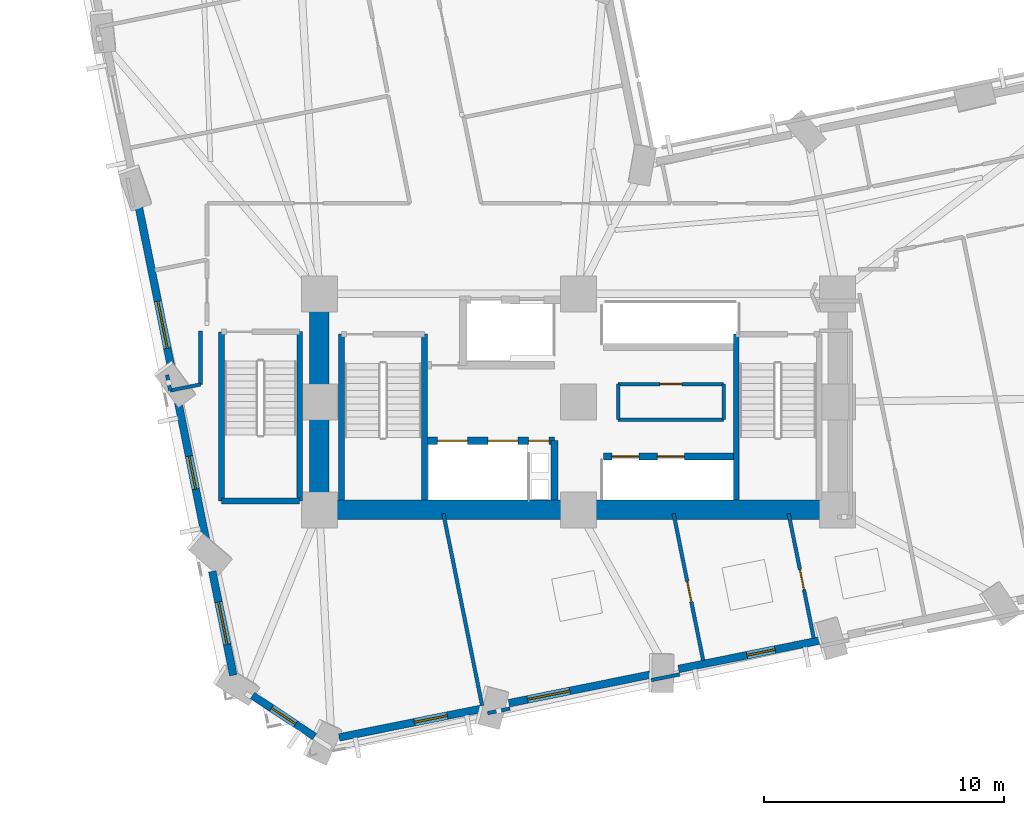
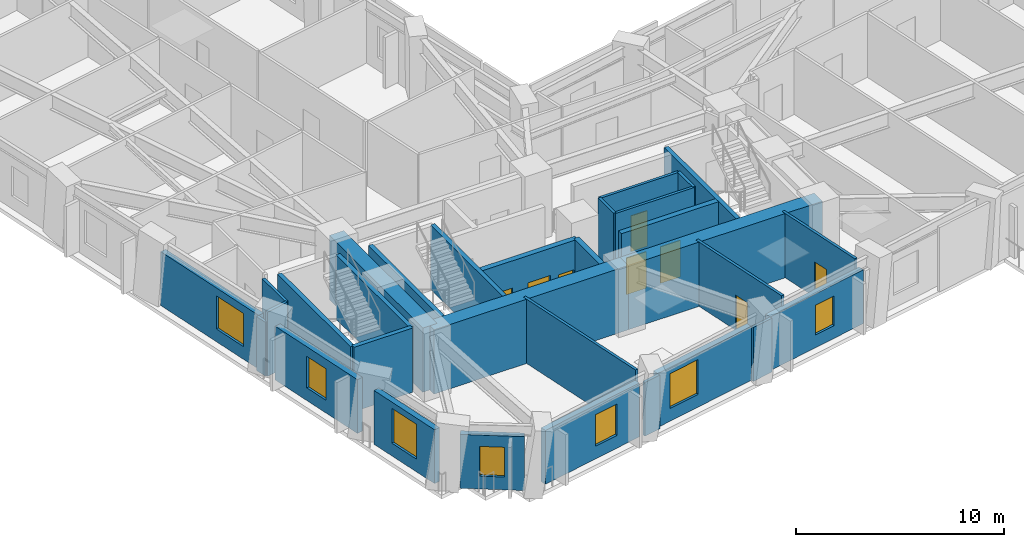
# One storey, part 7 of 16: 31 walls, 8 doors, 7 windows, 15 openings.
"""IFC4 building model written with IfcOpenShell, lengths in metres."""

import ifcopenshell
import ifcopenshell.guid

model = None  # the IFC model being written
_history = None  # IfcOwnerHistory: only IFC2X3 demands one
_inside = {}  # id of a spatial element -> (the spatial element, [elements in it])
_under = {}  # id of a project, library or spatial element -> (it, [spatial elements below it])
_declared = {}  # id of a project -> (the project, [libraries it declares])
_typed = {}  # id of a type object -> (the type object, [elements of that type])
_made_of = {}  # id of a material, layer set ... -> (it, [elements and type objects made of it])


def new_model(schema):
    """Start an empty IFC model of exactly this schema.

    Asked for "IFC4X3", IfcOpenShell would pick the latest addendum, in which some entities
    have other attributes; the version numbers below select the first issue.
    IFC2X3 requires an IfcOwnerHistory on every rooted entity: one is made here for all.
    """
    global model, _history
    if schema == "IFC4X3":
        model = ifcopenshell.file(schema_version=(4, 3, 0, 0))
    else:
        model = ifcopenshell.file(schema=schema)
    _inside.clear()
    _under.clear()
    _declared.clear()
    _typed.clear()
    _made_of.clear()
    _history = None
    if model.schema == "IFC2X3":
        org = make("IfcOrganization", Name="unknown")
        user = make(
            "IfcPersonAndOrganization",
            ThePerson=make("IfcPerson", FamilyName="unknown"),
            TheOrganization=org,
        )
        app = make(
            "IfcApplication",
            ApplicationDeveloper=org,
            Version="unknown",
            ApplicationFullName="unknown",
            ApplicationIdentifier="unknown",
        )
        _history = make(
            "IfcOwnerHistory",
            OwningUser=user,
            OwningApplication=app,
            ChangeAction="ADDED",
            CreationDate=0,
        )
    return model


def make(cls, **values):
    """One entity of the class cls with the attributes given. An attribute that is None is left unset."""
    return model.create_entity(
        cls, **{name: value for name, value in values.items() if value is not None}
    )


def rooted(cls, **values):
    """An entity with a GlobalId (a new one), such as an element, a storey or a relation."""
    return make(cls, GlobalId=ifcopenshell.guid.new(), OwnerHistory=_history, **values)


def si_unit(unit_type, name, prefix=None):
    """IfcSIUnit, for example si_unit("LENGTHUNIT", "METRE", prefix="MILLI")."""
    return make("IfcSIUnit", UnitType=unit_type, Prefix=prefix, Name=name)


def assignment(units):
    """IfcUnitAssignment: the units of a project."""
    return None if units is None else make("IfcUnitAssignment", Units=units)


def point(xyz):
    """IfcCartesianPoint."""
    return None if xyz is None else make("IfcCartesianPoint", Coordinates=xyz)


def direction(xyz):
    """IfcDirection."""
    return None if xyz is None else make("IfcDirection", DirectionRatios=xyz)


def frame(location, z_axis=None, x_axis=None):
    """IfcAxis2Placement3D, a coordinate frame: its origin and axes. An axis left out is left unset."""
    return make(
        "IfcAxis2Placement3D",
        Location=point(location),
        Axis=direction(z_axis),
        RefDirection=direction(x_axis),
    )


def frame_2d(location, x_axis=None):
    """IfcAxis2Placement2D, a coordinate frame in the plane: its origin and x axis."""
    return make(
        "IfcAxis2Placement2D", Location=point(location), RefDirection=direction(x_axis)
    )


def origin():
    """The frame at (0, 0, 0) with its axes left unset."""
    return frame((0.0, 0.0, 0.0))


def place(relative_to, where):
    """IfcLocalPlacement: puts the frame where relative to a parent placement (None: the world)."""
    return make(
        "IfcLocalPlacement", PlacementRelTo=relative_to, RelativePlacement=where
    )


def context(
    kind, dimensions, precision=None, world=None, true_north=None, identifier=None
):
    """IfcGeometricRepresentationContext, for example the 3D "Model" context."""
    return make(
        "IfcGeometricRepresentationContext",
        ContextIdentifier=identifier,
        ContextType=kind,
        CoordinateSpaceDimension=dimensions,
        Precision=precision,
        WorldCoordinateSystem=world,
        TrueNorth=true_north,
    )


def subcontext(parent, identifier, kind, view, scale=None):
    """IfcGeometricRepresentationSubContext, for example "Body" below "Model"."""
    return make(
        "IfcGeometricRepresentationSubContext",
        ContextIdentifier=identifier,
        ContextType=kind,
        ParentContext=parent,
        TargetScale=scale,
        TargetView=view,
    )


def project(units=None, contexts=None):
    """IfcProject with its units and contexts."""
    return rooted(
        "IfcProject",
        Name="project",
        RepresentationContexts=contexts,
        UnitsInContext=assignment(units),
    )


def spatial(cls, under=None, at=None, **own):
    """A site, building, storey or space (cls), placed at a placement, below another one or the project."""
    s = rooted(cls, ObjectPlacement=at, **own)
    if under is not None:
        _under.setdefault(under.id(), (under, []))[1].append(s)
    return s


def profile(cls, at=None, kind="AREA", **sizes):
    """A parametric profile (cls). Its sizes go by their IFC names, for example OverallWidth=200.0."""
    return make(cls, ProfileType=kind, Position=at, **sizes)


def rectangle(**sizes):
    """IfcRectangleProfileDef."""
    return profile("IfcRectangleProfileDef", **sizes)


def extrude(swept, where, along, depth):
    """IfcExtrudedAreaSolid: the profile swept, set in the frame where, extruded along a direction by depth."""
    return make(
        "IfcExtrudedAreaSolid",
        SweptArea=swept,
        Position=where,
        ExtrudedDirection=direction(along),
        Depth=depth,
    )


def shape(context_of_items, identifier, shape_type, items):
    """IfcShapeRepresentation: the items that make up one representation, for example the "Body"."""
    return make(
        "IfcShapeRepresentation",
        ContextOfItems=context_of_items,
        RepresentationIdentifier=identifier,
        RepresentationType=shape_type,
        Items=items,
    )


def material(Name=None, Category=None):
    """IfcMaterial."""
    return make("IfcMaterial", Name=Name, Category=Category)


def layer(
    of_material, thickness, ventilated=None, Name=None, Category=None, Priority=None
):
    """IfcMaterialLayer: one layer of a wall or slab, of a material (None: an air gap)."""
    return make(
        "IfcMaterialLayer",
        Material=of_material,
        LayerThickness=thickness,
        IsVentilated=ventilated,
        Name=Name,
        Category=Category,
        Priority=Priority,
    )


def layer_set(layers, Name=None):
    """IfcMaterialLayerSet."""
    return make("IfcMaterialLayerSet", MaterialLayers=layers, LayerSetName=Name)


def made_of(thing, what):
    """Note that an element or type object is made of a material, layer set ...; save() writes the relation."""
    if what is not None:
        _made_of.setdefault(what.id(), (what, []))[1].append(thing)
    return thing


def type_object(cls, material=None, **own):
    """A type object (cls), such as IfcWallType, which elements share."""
    return made_of(rooted(cls, **own), material)


def element(
    cls,
    number,
    at=None,
    inside=None,
    cuts=None,
    type_object=None,
    material=None,
    context=None,
    identifier="Body",
    shape_type=None,
    held_by="IfcProductDefinitionShape",
    body=None,
    shapes=None,
    **own,
):
    """One element of the class cls, such as IfcWall. Its Tag is "e" and its number.

    at: its placement. inside: the storey or other place that contains it. cuts: it is an
    opening in that element (IfcRelVoidsElement). A single representation is given by context,
    identifier, shape_type and body (its items); several are given by shapes. held_by: the class
    of the entity that holds the representations. save() writes the other relations.
    """
    e = rooted(cls, Tag="e%d" % number, ObjectPlacement=at, **own)
    if body is not None:
        shapes = [shape(context, identifier, shape_type, body)]
    if shapes is not None:
        e.Representation = make(held_by, Representations=shapes)
    if inside is not None:
        _inside.setdefault(inside.id(), (inside, []))[1].append(e)
    if cuts is not None:
        rooted(
            "IfcRelVoidsElement", RelatingBuildingElement=cuts, RelatedOpeningElement=e
        )
    if type_object is not None:
        _typed.setdefault(type_object.id(), (type_object, []))[1].append(e)
    return made_of(e, material)


def fill(opening, filler):
    """IfcRelFillsElement: the door or window that sits in an opening."""
    return rooted(
        "IfcRelFillsElement",
        RelatingOpeningElement=opening,
        RelatedBuildingElement=filler,
    )


def aggregate(whole, parts):
    """IfcRelAggregates: a whole, such as a stair, and the parts it consists of."""
    return rooted("IfcRelAggregates", RelatingObject=whole, RelatedObjects=parts)


def save(model, path):
    """Write the relations noted so far, then the file.

    IfcRelAggregates (storeys below a building ...), IfcRelContainedInSpatialStructure (elements
    in a storey), IfcRelDefinesByType, IfcRelAssociatesMaterial and IfcRelDeclares: one each for
    every whole, place, type object, material and project.
    """
    for whole, parts in _under.values():
        aggregate(whole, parts)
    for where, things in _inside.values():
        rooted(
            "IfcRelContainedInSpatialStructure",
            RelatedElements=things,
            RelatingStructure=where,
        )
    for kind, things in _typed.values():
        rooted("IfcRelDefinesByType", RelatedObjects=things, RelatingType=kind)
    for what, things in _made_of.values():
        rooted("IfcRelAssociatesMaterial", RelatedObjects=things, RelatingMaterial=what)
    for by, libraries in _declared.values():
        rooted("IfcRelDeclares", RelatingContext=by, RelatedDefinitions=libraries)
    model.write(path)


model = new_model("IFC4")

# Units and contexts
model_context = context("Model", 3, precision=1e-05, world=origin(), true_north=direction((0.0, 1.0)))
body_context = subcontext(model_context, "Body", "Model", "MODEL_VIEW")
ifc_project = project(units=[si_unit("LENGTHUNIT", "METRE"), si_unit("AREAUNIT", "SQUARE_METRE"), si_unit("VOLUMEUNIT", "CUBIC_METRE"), si_unit("PLANEANGLEUNIT", "RADIAN"), si_unit("MASSUNIT", "GRAM", prefix="KILO")], contexts=[model_context])

# Site, building, storey
site_placement = place(None, origin())
site = spatial("IfcSite", under=ifc_project, at=site_placement, CompositionType="ELEMENT")
building_placement = place(site_placement, origin())
building = spatial("IfcBuilding", under=site, at=building_placement, Name="Gaonmaruhae Medical Tower", CompositionType="ELEMENT")
storey_placement = place(building_placement, frame((0.0, 0.0, 71.0)))
storey = spatial("IfcBuildingStorey", under=building, at=storey_placement, Name="L16", CompositionType="ELEMENT", Elevation=71.0)

# Walls
ifc_material_1 = material(Name="Concrete C60/75", Category="concrete")
ifc_layer_1 = layer(ifc_material_1, 0.800048828125)
ifc_layer_set_1 = layer_set([ifc_layer_1], Name="Concrete C60/75")
wall_type_1 = type_object("IfcWallType", Name="CW-800 Lower Core Shear Wall", PredefinedType="SHEAR", material=ifc_layer_set_1)
for number, where, z_axis, x_axis, name in (
    (1, (14.0, 7.800048828125, 0.0), (0.0, 0.0, 1.0), (1.0, 0.0, 0.0), "L16 Core Shear Wall CSW-S1"),
    (2, (24.800048828125, 7.800048828125, 0.0), (0.0, 0.0, 1.0), (1.0, 0.0, 0.0), "L16 Core Shear Wall CSW-S2"),
):
    element("IfcWall", number, at=place(storey_placement, frame(where, z_axis=z_axis, x_axis=x_axis)), inside=storey, type_object=wall_type_1, Name=name, PredefinedType="SHEAR", context=body_context, shape_type="SweptSolid", body=[
        extrude(rectangle(XDim=10.800048828125, YDim=0.800048828125, at=frame_2d((5.39990234375, 0.0))), origin(), (0.0, 0.0, 1.0), 3.780029296875),
    ])
wall_1_placement = place(storey_placement, frame((14.0, 16.800048828125, 0.0), z_axis=(0.0, 0.0, 1.0), x_axis=(0.0, -1.0, 0.0)))
element("IfcWall", 3, at=wall_1_placement, inside=storey, type_object=wall_type_1, Name="L16 Core Shear Wall CSW-W1", PredefinedType="SHEAR", context=body_context, shape_type="SweptSolid", body=[
    extrude(rectangle(XDim=9.0, YDim=0.800048828125, at=frame_2d((4.5, 0.0))), origin(), (0.0, 0.0, 1.0), 3.780029296875),
])

# Wall, opening, window
ifc_material_2 = material(Name="Precast concrete C45/55", Category="concrete")
ifc_layer_2 = layer(ifc_material_2, 0.320068359375)
ifc_layer_set_2 = layer_set([ifc_layer_2], Name="Precast concrete C45/55")
wall_type_2 = type_object("IfcWallType", Name="EW-320 Lower Precast Masonry-Frame Facade Wall", PredefinedType="SOLIDWALL", material=ifc_layer_set_2)
wall_2_placement = place(storey_placement, frame((20.739501953125, -0.490966796875, 0.0), z_axis=(0.0, 0.0, 1.0), x_axis=(-0.98027449332, -0.197640880757, 0.0)))
wall_2 = element("IfcWall", 4, at=wall_2_placement, inside=storey, type_object=wall_type_2, Name="L16 Precast Masonry-Frame Wall S01-S02", PredefinedType="SOLIDWALL", context=body_context, shape_type="SweptSolid", body=[
    extrude(rectangle(XDim=6.034423828125, YDim=0.320068359375, at=frame_2d((3.01708984375, 0.0))), origin(), (0.0, 0.0, 1.0), 3.1650390625),
])
opening_1_placement = place(wall_2_placement, frame((1.433349609375, 0.0, 0.75)))
opening_1 = element("IfcOpeningElement", 5, at=opening_1_placement, cuts=wall_2, Name="Opening WN-03", PredefinedType="OPENING", context=body_context, shape_type="SweptSolid", body=[
    extrude(rectangle(XDim=1.39990234375, YDim=1.85009765625, at=frame_2d((0.699951171875, 0.925048828125))), frame((0.0, 0.169921875, 0.0), z_axis=(0.0, -1.0, 0.0), x_axis=(1.0, 0.0, 0.0)), (0.0, 0.0, 1.0), 0.340087890625),
])
ifc_material_3 = material(Name="Anodised aluminium and Low-E double glazing", Category="aluminium")
window_type_1 = type_object("IfcWindowType", Name="WN-03 Isolation Ward Punched Window 1400x1850", PartitioningType="SINGLE_PANEL", PredefinedType="WINDOW", material=ifc_material_3)
window_1_placement = place(opening_1_placement, origin())
window_1 = element("IfcWindow", 6, at=window_1_placement, inside=storey, type_object=window_type_1, Name="L16 Modular Facade Window S01", OverallHeight=1.85009765625, OverallWidth=1.39990234375, PartitioningType="SINGLE_PANEL", PredefinedType="WINDOW", context=body_context, shape_type="SweptSolid", body=[
    extrude(rectangle(XDim=1.39990234375, YDim=1.85009765625, at=frame_2d((0.699951171875, 0.925048828125))), frame((0.0, 0.030029296875, 0.0), z_axis=(0.0, -1.0, 0.0), x_axis=(1.0, 0.0, 0.0)), (0.0, 0.0, 1.0), 0.06005859375),
])
fill(opening_1, window_1)

wall_3_placement = place(storey_placement, frame((27.7861328125, 0.929931640625, 0.0), z_axis=(0.0, 0.0, 1.0), x_axis=(-0.980274615863, -0.197640272956, 0.0)))
wall_3 = element("IfcWall", 7, at=wall_3_placement, inside=storey, type_object=wall_type_2, Name="L16 Precast Masonry-Frame Wall S02-S03", PredefinedType="SOLIDWALL", context=body_context, shape_type="SweptSolid", body=[
    extrude(rectangle(XDim=6.005859375, YDim=0.320068359375, at=frame_2d((3.0029296875, 0.0))), origin(), (0.0, 0.0, 1.0), 3.1650390625),
])
opening_2_placement = place(wall_3_placement, frame((3.4130859375, 0.0, 0.75)))
opening_2 = element("IfcOpeningElement", 8, at=opening_2_placement, cuts=wall_3, Name="Opening WN-04", PredefinedType="OPENING", context=body_context, shape_type="SweptSolid", body=[
    extrude(rectangle(XDim=1.800048828125, YDim=2.050048828125, at=frame_2d((0.89990234375, 1.02490234375))), frame((0.0, 0.169921875, 0.0), z_axis=(0.0, -1.0, 0.0), x_axis=(1.0, 0.0, 0.0)), (0.0, 0.0, 1.0), 0.340087890625),
])
window_type_2 = type_object("IfcWindowType", Name="WN-04 Clinic & Consult Punched Window 1800x2050", PartitioningType="SINGLE_PANEL", PredefinedType="WINDOW", material=ifc_material_3)
window_2_placement = place(opening_2_placement, origin())
window_2 = element("IfcWindow", 9, at=window_2_placement, inside=storey, type_object=window_type_2, Name="L16 Modular Facade Window S02", OverallHeight=2.050048828125, OverallWidth=1.800048828125, PartitioningType="SINGLE_PANEL", PredefinedType="WINDOW", context=body_context, shape_type="SweptSolid", body=[
    extrude(rectangle(XDim=1.800048828125, YDim=2.050048828125, at=frame_2d((0.89990234375, 1.02490234375))), frame((0.0, 0.030029296875, 0.0), z_axis=(0.0, -1.0, 0.0), x_axis=(1.0, 0.0, 0.0)), (0.0, 0.0, 1.0), 0.06005859375),
])
fill(opening_2, window_2)

wall_4_placement = place(storey_placement, frame((34.838623046875, 2.351806640625, 0.0), z_axis=(0.0, 0.0, 1.0), x_axis=(-0.980280090352, -0.197613118135, 0.0)))
wall_4 = element("IfcWall", 10, at=wall_4_placement, inside=storey, type_object=wall_type_2, Name="L16 Precast Masonry-Frame Wall S03-S04", PredefinedType="SOLIDWALL", context=body_context, shape_type="SweptSolid", body=[
    extrude(rectangle(XDim=5.989501953125, YDim=0.320068359375, at=frame_2d((2.99462890625, 0.0))), origin(), (0.0, 0.0, 1.0), 3.1650390625),
])
opening_3_placement = place(wall_4_placement, frame((1.882080078125, 0.0, 0.75)))
opening_3 = element("IfcOpeningElement", 11, at=opening_3_placement, cuts=wall_4, Name="Opening WN-05", PredefinedType="OPENING", context=body_context, shape_type="SweptSolid", body=[
    extrude(rectangle(XDim=1.199951171875, YDim=1.75, at=frame_2d((0.60009765625, 0.875))), frame((0.0, 0.169921875, 0.0), z_axis=(0.0, -1.0, 0.0), x_axis=(1.0, 0.0, 0.0)), (0.0, 0.0, 1.0), 0.340087890625),
])
window_type_3 = type_object("IfcWindowType", Name="WN-05 Support & Staff Punched Window 1200x1750", PartitioningType="SINGLE_PANEL", PredefinedType="WINDOW", material=ifc_material_3)
window_3_placement = place(opening_3_placement, origin())
window_3 = element("IfcWindow", 12, at=window_3_placement, inside=storey, type_object=window_type_3, Name="L16 Modular Facade Window S03", OverallHeight=1.75, OverallWidth=1.199951171875, PartitioningType="SINGLE_PANEL", PredefinedType="WINDOW", context=body_context, shape_type="SweptSolid", body=[
    extrude(rectangle(XDim=1.199951171875, YDim=1.75, at=frame_2d((0.60009765625, 0.875))), frame((0.0, 0.030029296875, 0.0), z_axis=(0.0, -1.0, 0.0), x_axis=(1.0, 0.0, 0.0)), (0.0, 0.0, 1.0), 0.06005859375),
])
fill(opening_3, window_3)

wall_5_placement = place(storey_placement, frame((7.8818359375, 13.471435546875, 0.0), z_axis=(0.0, 0.0, 1.0), x_axis=(-0.197675150803, 0.980267583242, 0.0)))
wall_5 = element("IfcWall", 13, at=wall_5_placement, inside=storey, type_object=wall_type_2, Name="L16 Precast Masonry-Frame Wall W04-W05", PredefinedType="SOLIDWALL", context=body_context, shape_type="SweptSolid", body=[
    extrude(rectangle(XDim=7.13623046875, YDim=0.320068359375, at=frame_2d((3.568115234375, 0.0))), origin(), (0.0, 0.0, 1.0), 3.1650390625),
])
opening_4_placement = place(wall_5_placement, frame((1.081298828125, 0.0, 0.75)))
opening_4 = element("IfcOpeningElement", 14, at=opening_4_placement, cuts=wall_5, Name="Opening WN-02", PredefinedType="OPENING", context=body_context, shape_type="SweptSolid", body=[
    extrude(rectangle(XDim=2.0, YDim=1.949951171875, at=frame_2d((1.0, 0.97509765625))), frame((0.0, 0.169921875, 0.0), z_axis=(0.0, -1.0, 0.0), x_axis=(1.0, 0.0, 0.0)), (0.0, 0.0, 1.0), 0.340087890625),
])
window_type_4 = type_object("IfcWindowType", Name="WN-02 Double-Bed Ward Punched Window 2000x1950", PartitioningType="SINGLE_PANEL", PredefinedType="WINDOW", material=ifc_material_3)
window_4_placement = place(opening_4_placement, origin())
window_4 = element("IfcWindow", 15, at=window_4_placement, inside=storey, type_object=window_type_4, Name="L16 Modular Facade Window W04", OverallHeight=1.949951171875, OverallWidth=2.0, PartitioningType="SINGLE_PANEL", PredefinedType="WINDOW", context=body_context, shape_type="SweptSolid", body=[
    extrude(rectangle(XDim=2.0, YDim=1.949951171875, at=frame_2d((1.0, 0.97509765625))), frame((0.0, 0.030029296875, 0.0), z_axis=(0.0, -1.0, 0.0), x_axis=(1.0, 0.0, 0.0)), (0.0, 0.0, 1.0), 0.06005859375),
])
fill(opening_4, window_4)

wall_6_placement = place(storey_placement, frame((9.306396484375, 6.40576171875, 0.0), z_axis=(0.0, 0.0, 1.0), x_axis=(-0.19765037467, 0.980272579129, 0.0)))
wall_6 = element("IfcWall", 16, at=wall_6_placement, inside=storey, type_object=wall_type_2, Name="L16 Precast Masonry-Frame Wall W05-W06", PredefinedType="SOLIDWALL", context=body_context, shape_type="SweptSolid", body=[
    extrude(rectangle(XDim=5.9970703125, YDim=0.320068359375, at=frame_2d((2.99853515625, 0.0))), origin(), (0.0, 0.0, 1.0), 3.1650390625),
])
opening_5_placement = place(wall_6_placement, frame((2.30029296875, 0.0, 0.75)))
opening_5 = element("IfcOpeningElement", 17, at=opening_5_placement, cuts=wall_6, Name="Opening WN-03", PredefinedType="OPENING", context=body_context, shape_type="SweptSolid", body=[
    extrude(rectangle(XDim=1.39990234375, YDim=1.85009765625, at=frame_2d((0.699951171875, 0.925048828125))), frame((0.0, 0.169921875, 0.0), z_axis=(0.0, -1.0, 0.0), x_axis=(1.0, 0.0, 0.0)), (0.0, 0.0, 1.0), 0.340087890625),
])
window_5_placement = place(opening_5_placement, origin())
window_5 = element("IfcWindow", 18, at=window_5_placement, inside=storey, type_object=window_type_1, Name="L16 Modular Facade Window W05", OverallHeight=1.85009765625, OverallWidth=1.39990234375, PartitioningType="SINGLE_PANEL", PredefinedType="WINDOW", context=body_context, shape_type="SweptSolid", body=[
    extrude(rectangle(XDim=1.39990234375, YDim=1.85009765625, at=frame_2d((0.699951171875, 0.925048828125))), frame((0.0, 0.030029296875, 0.0), z_axis=(0.0, -1.0, 0.0), x_axis=(1.0, 0.0, 0.0)), (0.0, 0.0, 1.0), 0.06005859375),
])
fill(opening_5, window_5)

wall_7_placement = place(storey_placement, frame((10.415283203125, 0.906005859375, 0.0), z_axis=(0.0, 0.0, 1.0), x_axis=(-0.197625467913, 0.980277600699, 0.0)))
wall_7 = element("IfcWall", 19, at=wall_7_placement, inside=storey, type_object=wall_type_2, Name="L16 Precast Masonry-Frame Wall W06-W07", PredefinedType="SOLIDWALL", context=body_context, shape_type="SweptSolid", body=[
    extrude(rectangle(XDim=4.41650390625, YDim=0.320068359375, at=frame_2d((2.208251953125, 0.0))), origin(), (0.0, 0.0, 1.0), 3.1650390625),
])
opening_6_placement = place(wall_7_placement, frame((1.310791015625, 0.0, 0.75)))
opening_6 = element("IfcOpeningElement", 20, at=opening_6_placement, cuts=wall_7, Name="Opening WN-04", PredefinedType="OPENING", context=body_context, shape_type="SweptSolid", body=[
    extrude(rectangle(XDim=1.800048828125, YDim=2.050048828125, at=frame_2d((0.89990234375, 1.02490234375))), frame((0.0, 0.169921875, 0.0), z_axis=(0.0, -1.0, 0.0), x_axis=(1.0, 0.0, 0.0)), (0.0, 0.0, 1.0), 0.340087890625),
])
window_6_placement = place(opening_6_placement, origin())
window_6 = element("IfcWindow", 21, at=window_6_placement, inside=storey, type_object=window_type_2, Name="L16 Modular Facade Window W06", OverallHeight=2.050048828125, OverallWidth=1.800048828125, PartitioningType="SINGLE_PANEL", PredefinedType="WINDOW", context=body_context, shape_type="SweptSolid", body=[
    extrude(rectangle(XDim=1.800048828125, YDim=2.050048828125, at=frame_2d((0.89990234375, 1.02490234375))), frame((0.0, 0.030029296875, 0.0), z_axis=(0.0, -1.0, 0.0), x_axis=(1.0, 0.0, 0.0)), (0.0, 0.0, 1.0), 0.06005859375),
])
fill(opening_6, window_6)

wall_8_placement = place(storey_placement, frame((13.80078125, -1.64892578125, 0.0), z_axis=(0.0, 0.0, 1.0), x_axis=(-0.832909781012, 0.553408797088, 0.0)))
wall_8 = element("IfcWall", 22, at=wall_8_placement, inside=storey, type_object=wall_type_2, Name="L16 Precast Masonry-Frame Wall W07-S01", PredefinedType="SOLIDWALL", context=body_context, shape_type="SweptSolid", body=[
    extrude(rectangle(XDim=3.09912109375, YDim=0.320068359375, at=frame_2d((1.549560546875, 0.0))), origin(), (0.0, 0.0, 1.0), 3.1650390625),
])
opening_7_placement = place(wall_8_placement, frame((0.94921875, 0.0, 0.75)))
opening_7 = element("IfcOpeningElement", 23, at=opening_7_placement, cuts=wall_8, Name="Opening WN-05", PredefinedType="OPENING", context=body_context, shape_type="SweptSolid", body=[
    extrude(rectangle(XDim=1.199951171875, YDim=1.75, at=frame_2d((0.60009765625, 0.875))), frame((0.0, 0.169921875, 0.0), z_axis=(0.0, -1.0, 0.0), x_axis=(1.0, 0.0, 0.0)), (0.0, 0.0, 1.0), 0.340087890625),
])
window_7_placement = place(opening_7_placement, origin())
window_7 = element("IfcWindow", 24, at=window_7_placement, inside=storey, type_object=window_type_3, Name="L16 Modular Facade Window W07", OverallHeight=1.75, OverallWidth=1.199951171875, PartitioningType="SINGLE_PANEL", PredefinedType="WINDOW", context=body_context, shape_type="SweptSolid", body=[
    extrude(rectangle(XDim=1.199951171875, YDim=1.75, at=frame_2d((0.60009765625, 0.875))), frame((0.0, 0.030029296875, 0.0), z_axis=(0.0, -1.0, 0.0), x_axis=(1.0, 0.0, 0.0)), (0.0, 0.0, 1.0), 0.06005859375),
])
fill(opening_7, window_7)

# Wall
ifc_material_4 = material(Name="Gypsum board partition", Category="gypsum")
ifc_layer_3 = layer(ifc_material_4, 0.14990234375)
ifc_layer_set_3 = layer_set([ifc_layer_3], Name="Gypsum board partition")
wall_type_3 = type_object("IfcWallType", Name="PW-150 Rated Clinical Corridor Partition", PredefinedType="PARTITIONING", material=ifc_layer_set_3)
wall_9_placement = place(storey_placement, frame((26.449951171875, 11.56005859375, 0.0), z_axis=(0.0, 0.0, 1.0), x_axis=(0.0, 1.0, 0.0)))
element("IfcWall", 25, at=wall_9_placement, inside=storey, type_object=wall_type_3, Name="L16 Interior Partition L16-CS1-1", PredefinedType="PARTITIONING", context=body_context, shape_type="SweptSolid", body=[
    extrude(rectangle(XDim=1.47998046875, YDim=0.14990234375, at=frame_2d((0.739990234375, 0.0))), origin(), (0.0, 0.0, 1.0), 3.780029296875),
])

# Wall, opening, door
wall_10_placement = place(storey_placement, frame((26.449951171875, 13.0400390625, 0.0), z_axis=(0.0, 0.0, 1.0), x_axis=(1.0, 0.0, 0.0)))
wall_10 = element("IfcWall", 26, at=wall_10_placement, inside=storey, type_object=wall_type_3, Name="L16 Interior Partition L16-CS1-2", PredefinedType="PARTITIONING", context=body_context, shape_type="SweptSolid", body=[
    extrude(rectangle(XDim=4.400146484375, YDim=0.14990234375, at=frame_2d((2.2001953125, 0.0))), origin(), (0.0, 0.0, 1.0), 3.780029296875),
])
opening_8_placement = place(wall_10_placement, frame((1.739990234375, 0.0, 0.0)))
opening_8 = element("IfcOpeningElement", 27, at=opening_8_placement, cuts=wall_10, Name="Opening UD-01", PredefinedType="OPENING", context=body_context, shape_type="SweptSolid", body=[
    extrude(rectangle(XDim=0.919921875, YDim=2.10009765625, at=frame_2d((0.4599609375, 1.050048828125))), frame((0.0, 0.0849609375, 0.0), z_axis=(0.0, -1.0, 0.0), x_axis=(1.0, 0.0, 0.0)), (0.0, 0.0, 1.0), 0.169921875),
])
ifc_material_5 = material(Name="Powder-coated steel utility door", Category="steel")
door_type_1 = type_object("IfcDoorType", Name="UD-01 Toilet, Utility & Housekeeping Door 920x2100", OperationType="NOTDEFINED", PredefinedType="DOOR", material=ifc_material_5)
door_1_placement = place(opening_8_placement, origin())
door_1 = element("IfcDoor", 28, at=door_1_placement, inside=storey, type_object=door_type_1, Name="L16 Clean Linen Utility Store Door", OperationType="SINGLE_SWING_LEFT", OverallHeight=2.10009765625, OverallWidth=0.919921875, PredefinedType="DOOR", context=body_context, shape_type="SweptSolid", body=[
    extrude(rectangle(XDim=0.919921875, YDim=2.10009765625, at=frame_2d((0.4599609375, 1.050048828125))), frame((0.0, 0.02490234375, 0.0), z_axis=(0.0, -1.0, 0.0), x_axis=(1.0, 0.0, 0.0)), (0.0, 0.0, 1.0), 0.050048828125),
])
fill(opening_8, door_1)

# Walls
wall_11_placement = place(storey_placement, frame((30.85009765625, 13.0400390625, 0.0), z_axis=(0.0, 0.0, 1.0), x_axis=(0.0, -1.0, 0.0)))
element("IfcWall", 29, at=wall_11_placement, inside=storey, type_object=wall_type_3, Name="L16 Interior Partition L16-CS1-3", PredefinedType="PARTITIONING", context=body_context, shape_type="SweptSolid", body=[
    extrude(rectangle(XDim=1.47998046875, YDim=0.14990234375, at=frame_2d((0.739990234375, 0.0))), origin(), (0.0, 0.0, 1.0), 3.780029296875),
])
wall_12_placement = place(storey_placement, frame((30.85009765625, 11.56005859375, 0.0), z_axis=(0.0, 0.0, 1.0), x_axis=(-1.0, 0.0, 0.0)))
element("IfcWall", 30, at=wall_12_placement, inside=storey, type_object=wall_type_3, Name="L16 Interior Partition L16-CS1-4", PredefinedType="PARTITIONING", context=body_context, shape_type="SweptSolid", body=[
    extrude(rectangle(XDim=4.400146484375, YDim=0.14990234375, at=frame_2d((2.2001953125, 0.0))), origin(), (0.0, 0.0, 1.0), 3.780029296875),
])
wall_13_placement = place(storey_placement, frame((19.1708984375, 7.64306640625, 0.0), z_axis=(0.0, 0.0, 1.0), x_axis=(0.197713770803, -0.980259794562, 0.0)))
element("IfcWall", 31, at=wall_13_placement, inside=storey, type_object=wall_type_3, Name="L16 Interior Partition L16-SUP02-6", PredefinedType="PARTITIONING", context=body_context, shape_type="SweptSolid", body=[
    extrude(rectangle(XDim=8.168212890625, YDim=0.14990234375, at=frame_2d((4.083984375, 0.0))), origin(), (0.0, 0.0, 1.0), 3.780029296875),
])
wall_14_placement = place(storey_placement, frame((21.944091796875, -0.48291015625, 0.0), z_axis=(0.0, 0.0, 1.0), x_axis=(-0.980303483452, -0.197497038791, 0.0)))
element("IfcWall", 32, at=wall_14_placement, inside=storey, type_object=wall_type_3, Name="L16 Interior Partition L16-SUP03-7", PredefinedType="PARTITIONING", context=body_context, shape_type="SweptSolid", body=[
    extrude(rectangle(XDim=0.951904296875, YDim=0.14990234375, at=frame_2d((0.47607421875, 0.0))), origin(), (0.0, 0.0, 1.0), 3.1650390625),
])
wall_15_placement = place(storey_placement, frame((29.012939453125, 0.943115234375, 0.0), z_axis=(0.0, 0.0, 1.0), x_axis=(-0.980283356785, -0.197596913968, 0.0)))
element("IfcWall", 33, at=wall_15_placement, inside=storey, type_object=wall_type_3, Name="L16 Interior Partition L16-SUP04-9", PredefinedType="PARTITIONING", context=body_context, shape_type="SweptSolid", body=[
    extrude(rectangle(XDim=1.20458984375, YDim=0.14990234375, at=frame_2d((0.602294921875, 0.0))), origin(), (0.0, 0.0, 1.0), 3.1650390625),
])

# Wall, opening, door
wall_16_placement = place(storey_placement, frame((28.760986328125, 7.64306640625, 0.0), z_axis=(0.0, 0.0, 1.0), x_axis=(0.197662499127, -0.980270134422, 0.0)))
wall_16 = element("IfcWall", 34, at=wall_16_placement, inside=storey, type_object=wall_type_3, Name="L16 Interior Partition L16-SUP04-10", PredefinedType="PARTITIONING", context=body_context, shape_type="SweptSolid", body=[
    extrude(rectangle(XDim=6.25341796875, YDim=0.14990234375, at=frame_2d((3.126708984375, 0.0))), origin(), (0.0, 0.0, 1.0), 3.780029296875),
])
opening_9_placement = place(wall_16_placement, frame((2.887939453125, 0.0, 0.0)))
opening_9 = element("IfcOpeningElement", 35, at=opening_9_placement, cuts=wall_16, Name="Opening AD-01", PredefinedType="OPENING", context=body_context, shape_type="SweptSolid", body=[
    extrude(rectangle(XDim=0.860107421875, YDim=2.06005859375, at=frame_2d((0.43017578125, 1.030029296875))), frame((0.0, 0.0849609375, 0.0), z_axis=(0.0, -1.0, 0.0), x_axis=(1.0, 0.0, 0.0)), (0.0, 0.0, 1.0), 0.169921875),
])
ifc_material_6 = material(Name="Powder-coated steel access door", Category="steel")
door_type_2 = type_object("IfcDoorType", Name="AD-01 Riser & Closet Access Fire Door 860x2060", OperationType="NOTDEFINED", PredefinedType="DOOR", material=ifc_material_6)
door_2_placement = place(opening_9_placement, origin())
door_2 = element("IfcDoor", 36, at=door_2_placement, inside=storey, type_object=door_type_2, Name="L16 Clinical Biomedical Charting Office Sliding Door", OperationType="SLIDING_TO_LEFT", OverallHeight=2.06005859375, OverallWidth=0.860107421875, PredefinedType="DOOR", context=body_context, shape_type="SweptSolid", body=[
    extrude(rectangle(XDim=0.860107421875, YDim=2.06005859375, at=frame_2d((0.43017578125, 1.030029296875))), frame((0.0, 0.02490234375, 0.0), z_axis=(0.0, -1.0, 0.0), x_axis=(1.0, 0.0, 0.0)), (0.0, 0.0, 1.0), 0.050048828125),
])
fill(opening_9, door_2)

wall_17_placement = place(storey_placement, frame((33.554931640625, 7.64306640625, 0.0), z_axis=(0.0, 0.0, 1.0), x_axis=(0.197717476779, -0.980259047077, 0.0)))
wall_17 = element("IfcWall", 37, at=wall_17_placement, inside=storey, type_object=wall_type_3, Name="L16 Interior Partition L16-SUP05-11", PredefinedType="PARTITIONING", context=body_context, shape_type="SweptSolid", body=[
    extrude(rectangle(XDim=5.305908203125, YDim=0.14990234375, at=frame_2d((2.65283203125, 0.0))), origin(), (0.0, 0.0, 1.0), 3.780029296875),
])
opening_10_placement = place(wall_17_placement, frame((2.3759765625, 0.0, 0.0)))
opening_10 = element("IfcOpeningElement", 38, at=opening_10_placement, cuts=wall_17, Name="Opening AD-01", PredefinedType="OPENING", context=body_context, shape_type="SweptSolid", body=[
    extrude(rectangle(XDim=0.860107421875, YDim=2.06005859375, at=frame_2d((0.43017578125, 1.030029296875))), frame((0.0, 0.0849609375, 0.0), z_axis=(0.0, -1.0, 0.0), x_axis=(1.0, 0.0, 0.0)), (0.0, 0.0, 1.0), 0.169921875),
])
door_3_placement = place(opening_10_placement, origin())
door_3 = element("IfcDoor", 39, at=door_3_placement, inside=storey, type_object=door_type_2, Name="L16 Clinical Biomedical Charting Office Sliding Door", OperationType="SLIDING_TO_LEFT", OverallHeight=2.06005859375, OverallWidth=0.860107421875, PredefinedType="DOOR", context=body_context, shape_type="SweptSolid", body=[
    extrude(rectangle(XDim=0.860107421875, YDim=2.06005859375, at=frame_2d((0.43017578125, 1.030029296875))), frame((0.0, 0.02490234375, 0.0), z_axis=(0.0, -1.0, 0.0), x_axis=(1.0, 0.0, 0.0)), (0.0, 0.0, 1.0), 0.050048828125),
])
fill(opening_10, door_3)

# Walls
wall_18_placement = place(storey_placement, frame((9.050048828125, 15.260009765625, 0.0), z_axis=(0.0, 0.0, 1.0), x_axis=(0.0, -1.0, 0.0)))
element("IfcWall", 40, at=wall_18_placement, inside=storey, type_object=wall_type_3, Name="L16 Interior Partition L16-WOF12-39", PredefinedType="PARTITIONING", context=body_context, shape_type="SweptSolid", body=[
    extrude(rectangle(XDim=2.235107421875, YDim=0.14990234375, at=frame_2d((1.11767578125, 0.0))), origin(), (0.0, 0.0, 1.0), 3.780029296875),
])
wall_19_placement = place(storey_placement, frame((9.050048828125, 13.02490234375, 0.0), z_axis=(0.0, 0.0, 1.0), x_axis=(-0.98035389044, -0.197246671708, 0.0)))
element("IfcWall", 41, at=wall_19_placement, inside=storey, type_object=wall_type_3, Name="L16 Interior Partition L16-WOF12-40", PredefinedType="PARTITIONING", context=body_context, shape_type="SweptSolid", body=[
    extrude(rectangle(XDim=1.287353515625, YDim=0.14990234375, at=frame_2d((0.6435546875, 0.0))), origin(), (0.0, 0.0, 1.0), 3.780029296875),
])
wall_20_placement = place(storey_placement, frame((7.7880859375, 12.77099609375, 0.0), z_axis=(0.0, 0.0, 1.0), x_axis=(-0.197661660172, 0.980270303589, 0.0)))
element("IfcWall", 42, at=wall_20_placement, inside=storey, type_object=wall_type_3, Name="L16 Interior Partition L16-WOF12-41", PredefinedType="PARTITIONING", context=body_context, shape_type="SweptSolid", body=[
    extrude(rectangle(XDim=0.668212890625, YDim=0.14990234375, at=frame_2d((0.333984375, 0.0))), origin(), (0.0, 0.0, 1.0), 3.1650390625),
])
ifc_material_7 = material(Name="Concrete C50/60", Category="concrete")
ifc_layer_4 = layer(ifc_material_7, 0.239990234375)
ifc_layer_set_4 = layer_set([ifc_layer_4], Name="Concrete C50/60")
wall_type_4 = type_object("IfcWallType", Name="SW-240 Dogleg Stair Tight Shaft Wall", PredefinedType="SOLIDWALL", material=ifc_layer_set_4)
for number, where, z_axis, x_axis, name in (
    (43, (18.3798828125, 15.1201171875, 0.0), (0.0, 0.0, 1.0), (0.0, -1.0, 0.0), "L16 ST-01 Stair Shaft Wall SHW-ST-01-E"),
    (44, (14.919921875, 8.199951171875, 0.0), (0.0, 0.0, 1.0), (0.0, 1.0, 0.0), "L16 ST-01 Stair Shaft Wall SHW-ST-01-W"),
    (45, (31.3701171875, 8.199951171875, 0.0), (0.0, 0.0, 1.0), (0.0, 1.0, 0.0), "L16 ST-02 Stair Shaft Wall SHW-ST-02-W"),
):
    element("IfcWall", number, at=place(storey_placement, frame(where, z_axis=z_axis, x_axis=x_axis)), inside=storey, type_object=wall_type_4, Name=name, PredefinedType="SOLIDWALL", context=body_context, shape_type="SweptSolid", body=[
        extrude(rectangle(XDim=6.920166015625, YDim=0.239990234375, at=frame_2d((3.4599609375, 0.0))), origin(), (0.0, 0.0, 1.0), 3.780029296875),
    ])
wall_21_placement = place(storey_placement, frame((13.179931640625, 15.219970703125, 0.0), z_axis=(0.0, 0.0, 1.0), x_axis=(0.0, -1.0, 0.0)))
element("IfcWall", 46, at=wall_21_placement, inside=storey, type_object=wall_type_4, Name="L16 ST-03 Stair Shaft Wall SHW-ST-03-E", PredefinedType="SOLIDWALL", context=body_context, shape_type="SweptSolid", body=[
    extrude(rectangle(XDim=7.050048828125, YDim=0.239990234375, at=frame_2d((3.52490234375, 0.0))), origin(), (0.0, 0.0, 1.0), 3.780029296875),
])
wall_22_placement = place(storey_placement, frame((13.179931640625, 8.169921875, 0.0), z_axis=(0.0, 0.0, 1.0), x_axis=(-1.0, 0.0, 0.0)))
element("IfcWall", 47, at=wall_22_placement, inside=storey, type_object=wall_type_4, Name="L16 ST-03 Stair Shaft Wall SHW-ST-03-S", PredefinedType="SOLIDWALL", context=body_context, shape_type="SweptSolid", body=[
    extrude(rectangle(XDim=3.260009765625, YDim=0.239990234375, at=frame_2d((1.6298828125, 0.0))), origin(), (0.0, 0.0, 1.0), 3.780029296875),
])
wall_23_placement = place(storey_placement, frame((9.919921875, 8.169921875, 0.0), z_axis=(0.0, 0.0, 1.0), x_axis=(0.0, 1.0, 0.0)))
element("IfcWall", 48, at=wall_23_placement, inside=storey, type_object=wall_type_4, Name="L16 ST-03 Stair Shaft Wall SHW-ST-03-W", PredefinedType="SOLIDWALL", context=body_context, shape_type="SweptSolid", body=[
    extrude(rectangle(XDim=7.050048828125, YDim=0.239990234375, at=frame_2d((3.52490234375, 0.0))), origin(), (0.0, 0.0, 1.0), 3.780029296875),
])

# Wall, openings, doors
ifc_layer_5 = layer(ifc_material_7, 0.300048828125)
ifc_layer_set_5 = layer_set([ifc_layer_5], Name="Concrete C50/60")
wall_type_5 = type_object("IfcWallType", Name="SW-300 Stair & Lift Hoistway Shaft Wall", PredefinedType="SOLIDWALL", material=ifc_layer_set_5)
wall_24_placement = place(storey_placement, frame((18.5, 10.679931640625, 0.0), z_axis=(0.0, 0.0, 1.0), x_axis=(1.0, 0.0, 0.0)))
wall_24 = element("IfcWall", 49, at=wall_24_placement, inside=storey, type_object=wall_type_5, Name="L16 Shaft Enclosure Wall SHW-FFN", PredefinedType="SOLIDWALL", context=body_context, shape_type="SweptSolid", body=[
    extrude(rectangle(XDim=5.300048828125, YDim=0.300048828125, at=frame_2d((2.64990234375, 0.0))), origin(), (0.0, 0.0, 1.0), 3.780029296875),
])
opening_11_placement = place(wall_24_placement, frame((4.219970703125, 0.0, 0.0)))
opening_11 = element("IfcOpeningElement", 50, at=opening_11_placement, cuts=wall_24, Name="Opening AD-01", PredefinedType="OPENING", context=body_context, shape_type="SweptSolid", body=[
    extrude(rectangle(XDim=0.860107421875, YDim=2.06005859375, at=frame_2d((0.43017578125, 1.030029296875))), frame((0.0, 0.16015625, 0.0), z_axis=(0.0, -1.0, 0.0), x_axis=(1.0, 0.0, 0.0)), (0.0, 0.0, 1.0), 0.320068359375),
])
opening_12_placement = place(wall_24_placement, frame((0.425048828125, 0.0, 0.0)))
opening_12 = element("IfcOpeningElement", 51, at=opening_12_placement, cuts=wall_24, Name="Opening LD-F1", PredefinedType="OPENING", context=body_context, shape_type="SweptSolid", body=[
    extrude(rectangle(XDim=1.25, YDim=2.179931640625, at=frame_2d((0.625, 1.08984375))), frame((0.0, 0.16015625, 0.0), z_axis=(0.0, -1.0, 0.0), x_axis=(1.0, 0.0, 0.0)), (0.0, 0.0, 1.0), 0.320068359375),
])
opening_13_placement = place(wall_24_placement, frame((2.52490234375, 0.0, 0.0)))
opening_13 = element("IfcOpeningElement", 52, at=opening_13_placement, cuts=wall_24, Name="Opening LD-F1", PredefinedType="OPENING", context=body_context, shape_type="SweptSolid", body=[
    extrude(rectangle(XDim=1.25, YDim=2.179931640625, at=frame_2d((0.625, 1.08984375))), frame((0.0, 0.16015625, 0.0), z_axis=(0.0, -1.0, 0.0), x_axis=(1.0, 0.0, 0.0)), (0.0, 0.0, 1.0), 0.320068359375),
])
door_4_placement = place(opening_11_placement, origin())
door_4 = element("IfcDoor", 53, at=door_4_placement, inside=storey, type_object=door_type_2, Name="L16 Medical Gas and MEP Riser Access Door", OperationType="SINGLE_SWING_RIGHT", OverallHeight=2.06005859375, OverallWidth=0.860107421875, PredefinedType="DOOR", context=body_context, shape_type="SweptSolid", body=[
    extrude(rectangle(XDim=0.860107421875, YDim=2.06005859375, at=frame_2d((0.43017578125, 1.030029296875))), frame((0.0, 0.02490234375, 0.0), z_axis=(0.0, -1.0, 0.0), x_axis=(1.0, 0.0, 0.0)), (0.0, 0.0, 1.0), 0.050048828125),
])
fill(opening_11, door_4)
ifc_material_8 = material(Name="Brushed stainless steel 316L landing door", Category="steel")
door_type_3 = type_object("IfcDoorType", Name="LD-F1 Firefighting & Bed Lift Sliding Landing Door 1250x2180", OperationType="NOTDEFINED", PredefinedType="DOOR", material=ifc_material_8)
door_5_placement = place(opening_12_placement, origin())
door_5 = element("IfcDoor", 54, at=door_5_placement, inside=storey, type_object=door_type_3, Name="L16 Firefighting Lift Landing Door FFL-01", OperationType="DOUBLE_DOOR_SLIDING", OverallHeight=2.179931640625, OverallWidth=1.25, PredefinedType="DOOR", context=body_context, shape_type="SweptSolid", body=[
    extrude(rectangle(XDim=1.25, YDim=2.179931640625, at=frame_2d((0.625, 1.08984375))), frame((0.0, 0.02490234375, 0.0), z_axis=(0.0, -1.0, 0.0), x_axis=(1.0, 0.0, 0.0)), (0.0, 0.0, 1.0), 0.050048828125),
])
fill(opening_12, door_5)
door_6_placement = place(opening_13_placement, origin())
door_6 = element("IfcDoor", 55, at=door_6_placement, inside=storey, type_object=door_type_3, Name="L16 Firefighting Lift Landing Door FFL-02", OperationType="DOUBLE_DOOR_SLIDING", OverallHeight=2.179931640625, OverallWidth=1.25, PredefinedType="DOOR", context=body_context, shape_type="SweptSolid", body=[
    extrude(rectangle(XDim=1.25, YDim=2.179931640625, at=frame_2d((0.625, 1.08984375))), frame((0.0, 0.02490234375, 0.0), z_axis=(0.0, -1.0, 0.0), x_axis=(1.0, 0.0, 0.0)), (0.0, 0.0, 1.0), 0.050048828125),
])
fill(opening_13, door_6)

# Wall
wall_25_placement = place(storey_placement, frame((23.800048828125, 8.199951171875, 0.0), z_axis=(0.0, 0.0, 1.0), x_axis=(0.0, 1.0, 0.0)))
element("IfcWall", 56, at=wall_25_placement, inside=storey, type_object=wall_type_5, Name="L16 Shaft Enclosure Wall SHW-FFE", PredefinedType="SOLIDWALL", context=body_context, shape_type="SweptSolid", body=[
    extrude(rectangle(XDim=2.47998046875, YDim=0.300048828125, at=frame_2d((1.239990234375, 0.0))), origin(), (0.0, 0.0, 1.0), 3.780029296875),
])

# Wall, openings, doors
wall_26_placement = place(storey_placement, frame((25.85009765625, 10.02001953125, 0.0), z_axis=(0.0, 0.0, 1.0), x_axis=(1.0, 0.0, 0.0)))
wall_26 = element("IfcWall", 57, at=wall_26_placement, inside=storey, type_object=wall_type_5, Name="L16 Shaft Enclosure Wall SHW-PLS", PredefinedType="SOLIDWALL", context=body_context, shape_type="SweptSolid", body=[
    extrude(rectangle(XDim=5.449951171875, YDim=0.300048828125, at=frame_2d((2.72509765625, 0.0))), origin(), (0.0, 0.0, 1.0), 3.780029296875),
])
opening_14_placement = place(wall_26_placement, frame((0.340087890625, 0.0, 0.0)))
opening_14 = element("IfcOpeningElement", 58, at=opening_14_placement, cuts=wall_26, Name="Opening LD-P1", PredefinedType="OPENING", context=body_context, shape_type="SweptSolid", body=[
    extrude(rectangle(XDim=1.1201171875, YDim=2.14990234375, at=frame_2d((0.56005859375, 1.074951171875))), frame((0.0, 0.16015625, 0.0), z_axis=(0.0, -1.0, 0.0), x_axis=(1.0, 0.0, 0.0)), (0.0, 0.0, 1.0), 0.320068359375),
])
opening_15_placement = place(wall_26_placement, frame((2.239990234375, 0.0, 0.0)))
opening_15 = element("IfcOpeningElement", 59, at=opening_15_placement, cuts=wall_26, Name="Opening LD-P1", PredefinedType="OPENING", context=body_context, shape_type="SweptSolid", body=[
    extrude(rectangle(XDim=1.1201171875, YDim=2.14990234375, at=frame_2d((0.56005859375, 1.074951171875))), frame((0.0, 0.16015625, 0.0), z_axis=(0.0, -1.0, 0.0), x_axis=(1.0, 0.0, 0.0)), (0.0, 0.0, 1.0), 0.320068359375),
])
ifc_material_9 = material(Name="Brushed stainless steel 304 landing door", Category="steel")
door_type_4 = type_object("IfcDoorType", Name="LD-P1 Passenger Lift Sliding Landing Door 1120x2150", OperationType="NOTDEFINED", PredefinedType="DOOR", material=ifc_material_9)
door_7_placement = place(opening_14_placement, origin())
door_7 = element("IfcDoor", 60, at=door_7_placement, inside=storey, type_object=door_type_4, Name="L16 Passenger Lift Landing Door PL-L1", OperationType="DOUBLE_DOOR_SLIDING", OverallHeight=2.14990234375, OverallWidth=1.1201171875, PredefinedType="DOOR", context=body_context, shape_type="SweptSolid", body=[
    extrude(rectangle(XDim=1.1201171875, YDim=2.14990234375, at=frame_2d((0.56005859375, 1.074951171875))), frame((0.0, 0.02490234375, 0.0), z_axis=(0.0, -1.0, 0.0), x_axis=(1.0, 0.0, 0.0)), (0.0, 0.0, 1.0), 0.050048828125),
])
fill(opening_14, door_7)
door_8_placement = place(opening_15_placement, origin())
door_8 = element("IfcDoor", 61, at=door_8_placement, inside=storey, type_object=door_type_4, Name="L16 Passenger Lift Landing Door PL-L2", OperationType="DOUBLE_DOOR_SLIDING", OverallHeight=2.14990234375, OverallWidth=1.1201171875, PredefinedType="DOOR", context=body_context, shape_type="SweptSolid", body=[
    extrude(rectangle(XDim=1.1201171875, YDim=2.14990234375, at=frame_2d((0.56005859375, 1.074951171875))), frame((0.0, 0.02490234375, 0.0), z_axis=(0.0, -1.0, 0.0), x_axis=(1.0, 0.0, 0.0)), (0.0, 0.0, 1.0), 0.050048828125),
])
fill(opening_15, door_8)

save(model, "model.ifc")
